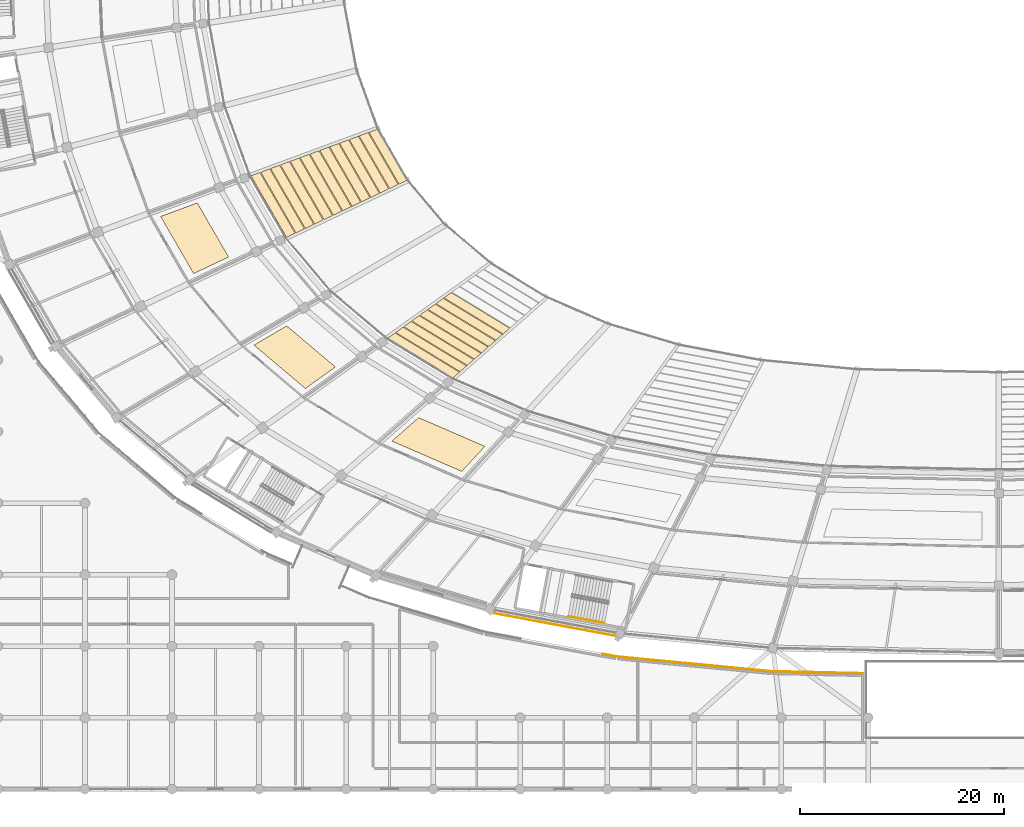
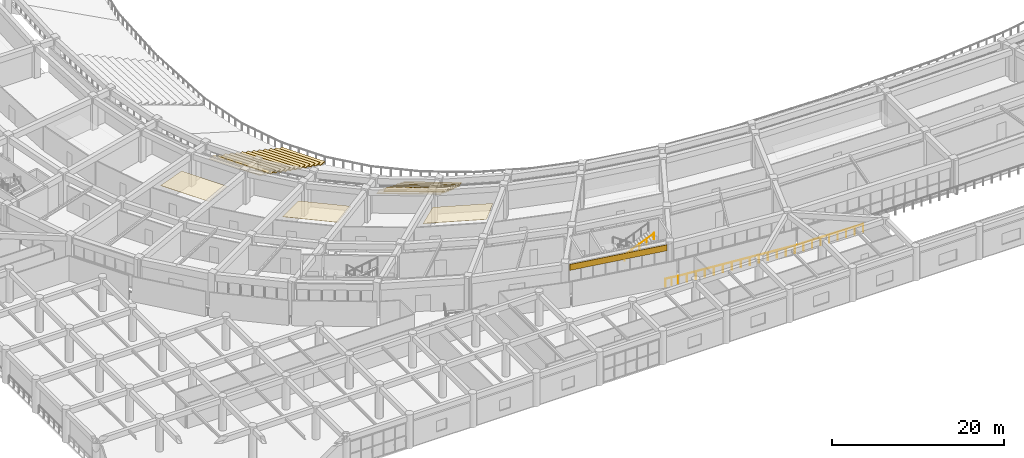
# One storey, part 124 of 152: 25 coverings, 2 railings.
"""IFC4 building model written with IfcOpenShell, lengths in metres."""

import ifcopenshell
import ifcopenshell.guid

model = None  # the IFC model being written
_history = None  # IfcOwnerHistory: only IFC2X3 demands one
_inside = {}  # id of a spatial element -> (the spatial element, [elements in it])
_under = {}  # id of a project, library or spatial element -> (it, [spatial elements below it])
_declared = {}  # id of a project -> (the project, [libraries it declares])
_typed = {}  # id of a type object -> (the type object, [elements of that type])
_made_of = {}  # id of a material, layer set ... -> (it, [elements and type objects made of it])


def new_model(schema):
    """Start an empty IFC model of exactly this schema.

    Asked for "IFC4X3", IfcOpenShell would pick the latest addendum, in which some entities
    have other attributes; the version numbers below select the first issue.
    IFC2X3 requires an IfcOwnerHistory on every rooted entity: one is made here for all.
    """
    global model, _history
    if schema == "IFC4X3":
        model = ifcopenshell.file(schema_version=(4, 3, 0, 0))
    else:
        model = ifcopenshell.file(schema=schema)
    _inside.clear()
    _under.clear()
    _declared.clear()
    _typed.clear()
    _made_of.clear()
    _history = None
    if model.schema == "IFC2X3":
        org = make("IfcOrganization", Name="unknown")
        user = make(
            "IfcPersonAndOrganization",
            ThePerson=make("IfcPerson", FamilyName="unknown"),
            TheOrganization=org,
        )
        app = make(
            "IfcApplication",
            ApplicationDeveloper=org,
            Version="unknown",
            ApplicationFullName="unknown",
            ApplicationIdentifier="unknown",
        )
        _history = make(
            "IfcOwnerHistory",
            OwningUser=user,
            OwningApplication=app,
            ChangeAction="ADDED",
            CreationDate=0,
        )
    return model


def make(cls, **values):
    """One entity of the class cls with the attributes given. An attribute that is None is left unset."""
    return model.create_entity(
        cls, **{name: value for name, value in values.items() if value is not None}
    )


def rooted(cls, **values):
    """An entity with a GlobalId (a new one), such as an element, a storey or a relation."""
    return make(cls, GlobalId=ifcopenshell.guid.new(), OwnerHistory=_history, **values)


def si_unit(unit_type, name, prefix=None):
    """IfcSIUnit, for example si_unit("LENGTHUNIT", "METRE", prefix="MILLI")."""
    return make("IfcSIUnit", UnitType=unit_type, Prefix=prefix, Name=name)


def assignment(units):
    """IfcUnitAssignment: the units of a project."""
    return None if units is None else make("IfcUnitAssignment", Units=units)


def point(xyz):
    """IfcCartesianPoint."""
    return None if xyz is None else make("IfcCartesianPoint", Coordinates=xyz)


def direction(xyz):
    """IfcDirection."""
    return None if xyz is None else make("IfcDirection", DirectionRatios=xyz)


def frame(location, z_axis=None, x_axis=None):
    """IfcAxis2Placement3D, a coordinate frame: its origin and axes. An axis left out is left unset."""
    return make(
        "IfcAxis2Placement3D",
        Location=point(location),
        Axis=direction(z_axis),
        RefDirection=direction(x_axis),
    )


def frame_2d(location, x_axis=None):
    """IfcAxis2Placement2D, a coordinate frame in the plane: its origin and x axis."""
    return make(
        "IfcAxis2Placement2D", Location=point(location), RefDirection=direction(x_axis)
    )


def origin():
    """The frame at (0, 0, 0) with its axes left unset."""
    return frame((0.0, 0.0, 0.0))


def origin_2d():
    """The frame at (0, 0) in the plane with its x axis left unset."""
    return frame_2d((0.0, 0.0))


def place(relative_to, where):
    """IfcLocalPlacement: puts the frame where relative to a parent placement (None: the world)."""
    return make(
        "IfcLocalPlacement", PlacementRelTo=relative_to, RelativePlacement=where
    )


def context(
    kind, dimensions, precision=None, world=None, true_north=None, identifier=None
):
    """IfcGeometricRepresentationContext, for example the 3D "Model" context."""
    return make(
        "IfcGeometricRepresentationContext",
        ContextIdentifier=identifier,
        ContextType=kind,
        CoordinateSpaceDimension=dimensions,
        Precision=precision,
        WorldCoordinateSystem=world,
        TrueNorth=true_north,
    )


def subcontext(parent, identifier, kind, view, scale=None):
    """IfcGeometricRepresentationSubContext, for example "Body" below "Model"."""
    return make(
        "IfcGeometricRepresentationSubContext",
        ContextIdentifier=identifier,
        ContextType=kind,
        ParentContext=parent,
        TargetScale=scale,
        TargetView=view,
    )


def project(units=None, contexts=None):
    """IfcProject with its units and contexts."""
    return rooted(
        "IfcProject",
        Name="project",
        RepresentationContexts=contexts,
        UnitsInContext=assignment(units),
    )


def spatial(cls, under=None, at=None, **own):
    """A site, building, storey or space (cls), placed at a placement, below another one or the project."""
    s = rooted(cls, ObjectPlacement=at, **own)
    if under is not None:
        _under.setdefault(under.id(), (under, []))[1].append(s)
    return s


def polyline(points):
    """IfcPolyline through the points."""
    return make("IfcPolyline", Points=[point(p) for p in points])


def profile(cls, at=None, kind="AREA", **sizes):
    """A parametric profile (cls). Its sizes go by their IFC names, for example OverallWidth=200.0."""
    return make(cls, ProfileType=kind, Position=at, **sizes)


def rectangle(**sizes):
    """IfcRectangleProfileDef."""
    return profile("IfcRectangleProfileDef", **sizes)


def circle(**sizes):
    """IfcCircleProfileDef."""
    return profile("IfcCircleProfileDef", **sizes)


def outline(outer, holes=None, kind="AREA"):
    """IfcArbitraryClosedProfileDef: a profile drawn as a closed curve; with holes, ...WithVoids."""
    if holes is None:
        return make("IfcArbitraryClosedProfileDef", ProfileType=kind, OuterCurve=outer)
    return make(
        "IfcArbitraryProfileDefWithVoids",
        ProfileType=kind,
        OuterCurve=outer,
        InnerCurves=holes,
    )


def extrude(swept, where, along, depth):
    """IfcExtrudedAreaSolid: the profile swept, set in the frame where, extruded along a direction by depth."""
    return make(
        "IfcExtrudedAreaSolid",
        SweptArea=swept,
        Position=where,
        ExtrudedDirection=direction(along),
        Depth=depth,
    )


def shape(context_of_items, identifier, shape_type, items):
    """IfcShapeRepresentation: the items that make up one representation, for example the "Body"."""
    return make(
        "IfcShapeRepresentation",
        ContextOfItems=context_of_items,
        RepresentationIdentifier=identifier,
        RepresentationType=shape_type,
        Items=items,
    )


def material(Name=None, Category=None):
    """IfcMaterial."""
    return make("IfcMaterial", Name=Name, Category=Category)


def layer(
    of_material, thickness, ventilated=None, Name=None, Category=None, Priority=None
):
    """IfcMaterialLayer: one layer of a wall or slab, of a material (None: an air gap)."""
    return make(
        "IfcMaterialLayer",
        Material=of_material,
        LayerThickness=thickness,
        IsVentilated=ventilated,
        Name=Name,
        Category=Category,
        Priority=Priority,
    )


def layer_set(layers, Name=None):
    """IfcMaterialLayerSet."""
    return make("IfcMaterialLayerSet", MaterialLayers=layers, LayerSetName=Name)


def made_of(thing, what):
    """Note that an element or type object is made of a material, layer set ...; save() writes the relation."""
    if what is not None:
        _made_of.setdefault(what.id(), (what, []))[1].append(thing)
    return thing


def type_object(cls, material=None, **own):
    """A type object (cls), such as IfcWallType, which elements share."""
    return made_of(rooted(cls, **own), material)


def element(
    cls,
    number,
    at=None,
    inside=None,
    cuts=None,
    type_object=None,
    material=None,
    context=None,
    identifier="Body",
    shape_type=None,
    held_by="IfcProductDefinitionShape",
    body=None,
    shapes=None,
    **own,
):
    """One element of the class cls, such as IfcWall. Its Tag is "e" and its number.

    at: its placement. inside: the storey or other place that contains it. cuts: it is an
    opening in that element (IfcRelVoidsElement). A single representation is given by context,
    identifier, shape_type and body (its items); several are given by shapes. held_by: the class
    of the entity that holds the representations. save() writes the other relations.
    """
    e = rooted(cls, Tag="e%d" % number, ObjectPlacement=at, **own)
    if body is not None:
        shapes = [shape(context, identifier, shape_type, body)]
    if shapes is not None:
        e.Representation = make(held_by, Representations=shapes)
    if inside is not None:
        _inside.setdefault(inside.id(), (inside, []))[1].append(e)
    if cuts is not None:
        rooted(
            "IfcRelVoidsElement", RelatingBuildingElement=cuts, RelatedOpeningElement=e
        )
    if type_object is not None:
        _typed.setdefault(type_object.id(), (type_object, []))[1].append(e)
    return made_of(e, material)


def aggregate(whole, parts):
    """IfcRelAggregates: a whole, such as a stair, and the parts it consists of."""
    return rooted("IfcRelAggregates", RelatingObject=whole, RelatedObjects=parts)


def save(model, path):
    """Write the relations noted so far, then the file.

    IfcRelAggregates (storeys below a building ...), IfcRelContainedInSpatialStructure (elements
    in a storey), IfcRelDefinesByType, IfcRelAssociatesMaterial and IfcRelDeclares: one each for
    every whole, place, type object, material and project.
    """
    for whole, parts in _under.values():
        aggregate(whole, parts)
    for where, things in _inside.values():
        rooted(
            "IfcRelContainedInSpatialStructure",
            RelatedElements=things,
            RelatingStructure=where,
        )
    for kind, things in _typed.values():
        rooted("IfcRelDefinesByType", RelatedObjects=things, RelatingType=kind)
    for what, things in _made_of.values():
        rooted("IfcRelAssociatesMaterial", RelatedObjects=things, RelatingMaterial=what)
    for by, libraries in _declared.values():
        rooted("IfcRelDeclares", RelatingContext=by, RelatedDefinitions=libraries)
    model.write(path)


model = new_model("IFC4")

# Units and contexts
model_context = context("Model", 3, precision=1e-05, world=origin(), true_north=direction((0.0, 1.0)))
body_context = subcontext(model_context, "Body", "Model", "MODEL_VIEW")
ifc_project = project(units=[si_unit("LENGTHUNIT", "METRE"), si_unit("AREAUNIT", "SQUARE_METRE"), si_unit("VOLUMEUNIT", "CUBIC_METRE"), si_unit("PLANEANGLEUNIT", "RADIAN"), si_unit("MASSUNIT", "GRAM", prefix="KILO")], contexts=[model_context])

# Site, building, storey
site_placement = place(None, origin())
site = spatial("IfcSite", under=ifc_project, at=site_placement, CompositionType="ELEMENT")
building_placement = place(site_placement, origin())
building = spatial("IfcBuilding", under=site, at=building_placement, Name="Mphavela Belvedere Stadium", CompositionType="ELEMENT")
storey_placement = place(building_placement, frame((0.0, 0.0, 5.39990234375)))
storey = spatial("IfcBuildingStorey", under=building, at=storey_placement, Name="L01", CompositionType="ELEMENT", Elevation=5.39990234375)

# Coverings
ifc_material_1 = material(Name="Perforated acoustic mineral ceiling tile")
ifc_layer_1 = layer(ifc_material_1, 0.0400390625)
ifc_layer_set_1 = layer_set([ifc_layer_1], Name="Perforated acoustic mineral ceiling tile")
covering_type_1 = type_object("IfcCoveringType", Name="COV-CEILING-ACOUSTIC", PredefinedType="CEILING", material=ifc_layer_set_1)
covering_1_placement = place(storey_placement, frame((0.0, 0.0, 3.5)))
element("IfcCovering", 1, at=covering_1_placement, inside=storey, type_object=covering_type_1, Name="Concourse acoustic ceiling L01-28", PredefinedType="CEILING", context=body_context, shape_type="SweptSolid", body=[
    extrude(outline(polyline([(36.55224609375, 57.37451171875), (39.614501953125, 52.07861328125), (36.189208984375, 50.457275390625), (32.955810546875, 56.049560546875), (36.55224609375, 57.37451171875)])), origin(), (0.0, 0.0, 1.0), 0.0400390625),
])
covering_2_placement = place(storey_placement, frame((0.0, 0.0, 3.5)))
element("IfcCovering", 2, at=covering_2_placement, inside=storey, type_object=covering_type_1, Name="Concourse acoustic ceiling L01-30", PredefinedType="CEILING", context=body_context, shape_type="SweptSolid", body=[
    extrude(outline(polyline([(45.30078125, 45.339111328125), (50.068359375, 41.316162109375), (47.129150390625, 39.210205078125), (42.094970703125, 43.4580078125), (45.30078125, 45.339111328125)])), origin(), (0.0, 0.0, 1.0), 0.0400390625),
])
covering_3_placement = place(storey_placement, frame((0.0, 0.0, 3.5)))
element("IfcCovering", 3, at=covering_3_placement, inside=storey, type_object=covering_type_1, Name="Concourse acoustic ceiling L01-32", PredefinedType="CEILING", context=body_context, shape_type="SweptSolid", body=[
    extrude(outline(polyline([(58.21875, 36.35888671875), (64.69580078125, 33.55078125), (62.43310546875, 31.0966796875), (55.593505859375, 34.061767578125), (58.21875, 36.35888671875)])), origin(), (0.0, 0.0, 1.0), 0.0400390625),
])
ifc_material_2 = material(Name="Carved classical limestone entablature frieze cladding", Category="masonry")
ifc_layer_2 = layer(ifc_material_2, 0.06005859375)
ifc_layer_set_2 = layer_set([ifc_layer_2], Name="Carved classical limestone entablature frieze cladding")
covering_type_2 = type_object("IfcCoveringType", Name="COV-FRIEZE-CLAD", PredefinedType="CLADDING", material=ifc_layer_set_2)
covering_4_placement = place(storey_placement, frame((71.50439453125, 16.103271484375, 3.594970703125), z_axis=(0.0, 0.0, 1.0), x_axis=(0.983095502692, -0.183093507769, 0.0)))
element("IfcCovering", 4, at=covering_4_placement, inside=storey, type_object=covering_type_2, Name="Classical entablature frieze cladding L01-34", PredefinedType="CLADDING", context=body_context, shape_type="SweptSolid", body=[
    extrude(rectangle(XDim=12.00146484375, YDim=0.06005859375, at=origin_2d()), origin(), (0.0, 0.0, 1.0), 0.85009765625),
])
ifc_material_3 = material(Name="Precast seating row terrazzo finish", Category="concrete")
ifc_layer_3 = layer(ifc_material_3, 0.1201171875)
ifc_layer_set_3 = layer_set([ifc_layer_3], Name="Precast seating row terrazzo finish")
covering_type_3 = type_object("IfcCoveringType", Name="COV-SEAT-ROW-L", PredefinedType="FLOORING", material=ifc_layer_set_3)
covering_5_placement = place(storey_placement, frame((0.0, 0.0, -3.75830078125)))
element("IfcCovering", 5, at=covering_5_placement, inside=storey, type_object=covering_type_3, Name="Lower stand seating row bench B28-R01", PredefinedType="FLOORING", context=body_context, shape_type="SweptSolid", body=[
    extrude(outline(polyline([(54.236572265625, 64.614501953125), (57.130859375, 59.608642578125), (56.287109375, 59.209228515625), (53.3505859375, 64.2880859375), (54.236572265625, 64.614501953125)])), origin(), (0.0, 0.0, 1.0), 0.119873046875),
])
covering_6_placement = place(storey_placement, frame((0.0, 0.0, -3.296875)))
element("IfcCovering", 6, at=covering_6_placement, inside=storey, type_object=covering_type_3, Name="Lower stand seating row bench B28-R02", PredefinedType="FLOORING", context=body_context, shape_type="SweptSolid", body=[
    extrude(outline(polyline([(53.273681640625, 64.259765625), (56.2138671875, 59.174560546875), (55.3701171875, 58.775146484375), (52.3876953125, 63.933349609375), (53.273681640625, 64.259765625)])), origin(), (0.0, 0.0, 1.0), 0.1201171875),
])
covering_7_placement = place(storey_placement, frame((0.0, 0.0, -2.835205078125)))
element("IfcCovering", 7, at=covering_7_placement, inside=storey, type_object=covering_type_3, Name="Lower stand seating row bench B28-R03", PredefinedType="FLOORING", context=body_context, shape_type="SweptSolid", body=[
    extrude(outline(polyline([(52.310546875, 63.90478515625), (55.296875, 58.740478515625), (54.453125, 58.341064453125), (51.4248046875, 63.57861328125), (52.310546875, 63.90478515625)])), origin(), (0.0, 0.0, 1.0), 0.119873046875),
])
covering_8_placement = place(storey_placement, frame((0.0, 0.0, -2.373779296875)))
element("IfcCovering", 8, at=covering_8_placement, inside=storey, type_object=covering_type_3, Name="Lower stand seating row bench B28-R04", PredefinedType="FLOORING", context=body_context, shape_type="SweptSolid", body=[
    extrude(outline(polyline([(51.34765625, 63.55029296875), (54.379638671875, 58.306396484375), (53.535888671875, 57.906982421875), (50.4619140625, 63.223876953125), (51.34765625, 63.55029296875)])), origin(), (0.0, 0.0, 1.0), 0.1201171875),
])
covering_9_placement = place(storey_placement, frame((0.0, 0.0, -1.912109375)))
element("IfcCovering", 9, at=covering_9_placement, inside=storey, type_object=covering_type_3, Name="Lower stand seating row bench B28-R05", PredefinedType="FLOORING", context=body_context, shape_type="SweptSolid", body=[
    extrude(outline(polyline([(50.384765625, 63.1953125), (53.462646484375, 57.872314453125), (52.618896484375, 57.472900390625), (49.498779296875, 62.868896484375), (50.384765625, 63.1953125)])), origin(), (0.0, 0.0, 1.0), 0.119873046875),
])
covering_10_placement = place(storey_placement, frame((0.0, 0.0, -1.45068359375)))
element("IfcCovering", 10, at=covering_10_placement, inside=storey, type_object=covering_type_3, Name="Lower stand seating row bench B28-R06", PredefinedType="FLOORING", context=body_context, shape_type="SweptSolid", body=[
    extrude(outline(polyline([(49.421875, 62.8408203125), (52.545654296875, 57.438232421875), (51.701904296875, 57.038818359375), (48.535888671875, 62.514404296875), (49.421875, 62.8408203125)])), origin(), (0.0, 0.0, 1.0), 0.119873046875),
])
covering_11_placement = place(storey_placement, frame((0.0, 0.0, -0.989013671875)))
element("IfcCovering", 11, at=covering_11_placement, inside=storey, type_object=covering_type_3, Name="Lower stand seating row bench B28-R07", PredefinedType="FLOORING", context=body_context, shape_type="SweptSolid", body=[
    extrude(outline(polyline([(48.458984375, 62.48583984375), (51.62841796875, 57.004150390625), (50.784912109375, 56.604736328125), (47.572998046875, 62.159423828125), (48.458984375, 62.48583984375)])), origin(), (0.0, 0.0, 1.0), 0.119873046875),
])
covering_12_placement = place(storey_placement, frame((0.0, 0.0, -0.527587890625)))
element("IfcCovering", 12, at=covering_12_placement, inside=storey, type_object=covering_type_3, Name="Lower stand seating row bench B28-R08", PredefinedType="FLOORING", context=body_context, shape_type="SweptSolid", body=[
    extrude(outline(polyline([(47.495849609375, 62.131103515625), (50.71142578125, 56.570068359375), (49.86767578125, 56.170654296875), (46.610107421875, 61.8046875), (47.495849609375, 62.131103515625)])), origin(), (0.0, 0.0, 1.0), 0.119873046875),
])
covering_13_placement = place(storey_placement, frame((0.0, 0.0, -0.066162109375)))
element("IfcCovering", 13, at=covering_13_placement, inside=storey, type_object=covering_type_3, Name="Lower stand seating row bench B28-R09", PredefinedType="FLOORING", context=body_context, shape_type="SweptSolid", body=[
    extrude(outline(polyline([(46.532958984375, 61.7763671875), (49.794189453125, 56.135986328125), (48.95068359375, 55.736572265625), (45.647216796875, 61.449951171875), (46.532958984375, 61.7763671875)])), origin(), (0.0, 0.0, 1.0), 0.1201171875),
])
covering_14_placement = place(storey_placement, frame((0.0, 0.0, 0.3955078125)))
element("IfcCovering", 14, at=covering_14_placement, inside=storey, type_object=covering_type_3, Name="Lower stand seating row bench B28-R10", PredefinedType="FLOORING", context=body_context, shape_type="SweptSolid", body=[
    extrude(outline(polyline([(45.570068359375, 61.421630859375), (48.877197265625, 55.701904296875), (48.03369140625, 55.302490234375), (44.68408203125, 61.09521484375), (45.570068359375, 61.421630859375)])), origin(), (0.0, 0.0, 1.0), 0.119873046875),
])
covering_15_placement = place(storey_placement, frame((0.0, 0.0, 0.85693359375)))
element("IfcCovering", 15, at=covering_15_placement, inside=storey, type_object=covering_type_3, Name="Lower stand seating row bench B28-R11", PredefinedType="FLOORING", context=body_context, shape_type="SweptSolid", body=[
    extrude(outline(polyline([(44.607177734375, 61.06689453125), (47.960205078125, 55.267822265625), (47.116455078125, 54.868408203125), (43.72119140625, 60.740478515625), (44.607177734375, 61.06689453125)])), origin(), (0.0, 0.0, 1.0), 0.1201171875),
])
covering_16_placement = place(storey_placement, frame((0.0, 0.0, 1.318603515625)))
element("IfcCovering", 16, at=covering_16_placement, inside=storey, type_object=covering_type_3, Name="Lower stand seating row bench B28-R12", PredefinedType="FLOORING", context=body_context, shape_type="SweptSolid", body=[
    extrude(outline(polyline([(43.644287109375, 60.712158203125), (47.043212890625, 54.833740234375), (46.199462890625, 54.434326171875), (42.75830078125, 60.3857421875), (43.644287109375, 60.712158203125)])), origin(), (0.0, 0.0, 1.0), 0.119873046875),
])
covering_17_placement = place(storey_placement, frame((0.0, 0.0, 1.780029296875)))
element("IfcCovering", 17, at=covering_17_placement, inside=storey, type_object=covering_type_3, Name="Lower stand seating row bench B28-R13", PredefinedType="FLOORING", context=body_context, shape_type="SweptSolid", body=[
    extrude(outline(polyline([(42.681396484375, 60.357421875), (46.126220703125, 54.399658203125), (45.282470703125, 54.000244140625), (41.79541015625, 60.031005859375), (42.681396484375, 60.357421875)])), origin(), (0.0, 0.0, 1.0), 0.1201171875),
])
covering_18_placement = place(storey_placement, frame((0.0, 0.0, -1.45068359375)))
element("IfcCovering", 18, at=covering_18_placement, inside=storey, type_object=covering_type_3, Name="Lower stand seating row bench B31-R06", PredefinedType="FLOORING", context=body_context, shape_type="SweptSolid", body=[
    extrude(outline(polyline([(61.40625, 48.600341796875), (67.1337890625, 45.115966796875), (66.4873046875, 44.550048828125), (60.682373046875, 48.08154296875), (61.40625, 48.600341796875)])), origin(), (0.0, 0.0, 1.0), 0.119873046875),
])
covering_19_placement = place(storey_placement, frame((0.0, 0.0, -0.989013671875)))
element("IfcCovering", 19, at=covering_19_placement, inside=storey, type_object=covering_type_3, Name="Lower stand seating row bench B31-R07", PredefinedType="FLOORING", context=body_context, shape_type="SweptSolid", body=[
    extrude(outline(polyline([(60.619384765625, 48.03662109375), (66.430908203125, 44.5009765625), (65.784423828125, 43.93505859375), (59.895263671875, 47.517822265625), (60.619384765625, 48.03662109375)])), origin(), (0.0, 0.0, 1.0), 0.119873046875),
])
covering_20_placement = place(storey_placement, frame((0.0, 0.0, -0.527587890625)))
element("IfcCovering", 20, at=covering_20_placement, inside=storey, type_object=covering_type_3, Name="Lower stand seating row bench B31-R08", PredefinedType="FLOORING", context=body_context, shape_type="SweptSolid", body=[
    extrude(outline(polyline([(59.83251953125, 47.47265625), (65.72802734375, 43.885986328125), (65.08154296875, 43.320068359375), (59.1083984375, 46.953857421875), (59.83251953125, 47.47265625)])), origin(), (0.0, 0.0, 1.0), 0.119873046875),
])
covering_21_placement = place(storey_placement, frame((0.0, 0.0, -0.066162109375)))
element("IfcCovering", 21, at=covering_21_placement, inside=storey, type_object=covering_type_3, Name="Lower stand seating row bench B31-R09", PredefinedType="FLOORING", context=body_context, shape_type="SweptSolid", body=[
    extrude(outline(polyline([(59.04541015625, 46.90869140625), (65.025390625, 43.27099609375), (64.378662109375, 42.705078125), (58.3212890625, 46.39013671875), (59.04541015625, 46.90869140625)])), origin(), (0.0, 0.0, 1.0), 0.1201171875),
])
covering_22_placement = place(storey_placement, frame((0.0, 0.0, 0.3955078125)))
element("IfcCovering", 22, at=covering_22_placement, inside=storey, type_object=covering_type_3, Name="Lower stand seating row bench B31-R10", PredefinedType="FLOORING", context=body_context, shape_type="SweptSolid", body=[
    extrude(outline(polyline([(58.258544921875, 46.344970703125), (64.322509765625, 42.656005859375), (63.67578125, 42.090087890625), (57.534423828125, 45.826171875), (58.258544921875, 46.344970703125)])), origin(), (0.0, 0.0, 1.0), 0.119873046875),
])
covering_23_placement = place(storey_placement, frame((0.0, 0.0, 0.85693359375)))
element("IfcCovering", 23, at=covering_23_placement, inside=storey, type_object=covering_type_3, Name="Lower stand seating row bench B31-R11", PredefinedType="FLOORING", context=body_context, shape_type="SweptSolid", body=[
    extrude(outline(polyline([(57.471435546875, 45.781005859375), (63.619384765625, 42.040771484375), (62.972900390625, 41.47509765625), (56.74755859375, 45.262451171875), (57.471435546875, 45.781005859375)])), origin(), (0.0, 0.0, 1.0), 0.1201171875),
])
covering_24_placement = place(storey_placement, frame((0.0, 0.0, 1.318603515625)))
element("IfcCovering", 24, at=covering_24_placement, inside=storey, type_object=covering_type_3, Name="Lower stand seating row bench B31-R12", PredefinedType="FLOORING", context=body_context, shape_type="SweptSolid", body=[
    extrude(outline(polyline([(56.6845703125, 45.21728515625), (62.916748046875, 41.42578125), (62.27001953125, 40.860107421875), (55.96044921875, 44.698486328125), (56.6845703125, 45.21728515625)])), origin(), (0.0, 0.0, 1.0), 0.119873046875),
])
covering_25_placement = place(storey_placement, frame((0.0, 0.0, 1.780029296875)))
element("IfcCovering", 25, at=covering_25_placement, inside=storey, type_object=covering_type_3, Name="Lower stand seating row bench B31-R13", PredefinedType="FLOORING", context=body_context, shape_type="SweptSolid", body=[
    extrude(outline(polyline([(55.897705078125, 44.6533203125), (62.2138671875, 40.810791015625), (61.567138671875, 40.2451171875), (55.173583984375, 44.134765625), (55.897705078125, 44.6533203125)])), origin(), (0.0, 0.0, 1.0), 0.1201171875),
])

# Railings
ifc_material_4 = material(Name="Bronze and laminated glass stadium balustrade", Category="glass")
railing_type_1 = type_object("IfcRailingType", Name="RAL-BALUSTRADE-1120", PredefinedType="BALUSTRADE", material=ifc_material_4)
railing_1_placement = place(storey_placement, frame((76.212890625, 13.232666015625, 0.0)))
element("IfcRailing", 26, at=railing_1_placement, inside=storey, type_object=railing_type_1, Name="Peristyle wing gallery edge balustrade L01-04", PredefinedType="BALUSTRADE", context=body_context, shape_type="SweptSolid", body=[
    extrude(circle(Radius=0.02392578125, at=origin_2d()), frame((0.0, 0.0, 1.09619140625), z_axis=(0.984163739647, -0.177261765658, 0.0), x_axis=(0.177261765658, 0.984163739647, 0.0)), (0.0, 0.0, 1.0), 1.52197265625),
    extrude(circle(Radius=0.02392578125, at=origin_2d()), frame((1.497802734375, -0.269775390625, 1.09619140625), z_axis=(0.995483637339, -0.094933280733, 0.0), x_axis=(0.094933280733, 0.995483637339, 0.0)), (0.0, 0.0, 1.0), 15.029052734375),
    extrude(circle(Radius=0.02392578125, at=origin_2d()), frame((16.458984375, -1.696533203125, 1.09619140625), z_axis=(0.999754122282, -0.022174196285, 0.0), x_axis=(0.022174196285, 0.999754122282, 0.0)), (0.0, 0.0, 1.0), 9.05029296875),
    extrude(circle(Radius=0.02099609375, at=origin_2d()), origin(), (0.0, 0.0, 1.0), 1.072021484375),
    extrude(circle(Radius=0.02099609375, at=origin_2d()), frame((0.7490234375, -0.134765625, 0.0)), (0.0, 0.0, 1.0), 1.072021484375),
    extrude(circle(Radius=0.02099609375, at=origin_2d()), frame((1.497802734375, -0.269775390625, 0.0)), (0.0, 0.0, 1.0), 1.072021484375),
    extrude(circle(Radius=0.02099609375, at=origin_2d()), frame((2.648681640625, -0.379638671875, 0.0)), (0.0, 0.0, 1.0), 1.072021484375),
    extrude(circle(Radius=0.02099609375, at=origin_2d()), frame((3.799560546875, -0.4892578125, 0.0)), (0.0, 0.0, 1.0), 1.072021484375),
    extrude(circle(Radius=0.02099609375, at=origin_2d()), frame((4.950439453125, -0.59912109375, 0.0)), (0.0, 0.0, 1.0), 1.072021484375),
    extrude(circle(Radius=0.02099609375, at=origin_2d()), frame((6.101318359375, -0.708740234375, 0.0)), (0.0, 0.0, 1.0), 1.072021484375),
    extrude(circle(Radius=0.02099609375, at=origin_2d()), frame((7.252197265625, -0.818603515625, 0.0)), (0.0, 0.0, 1.0), 1.072021484375),
    extrude(circle(Radius=0.02099609375, at=origin_2d()), frame((8.403076171875, -0.92822265625, 0.0)), (0.0, 0.0, 1.0), 1.072021484375),
    extrude(circle(Radius=0.02099609375, at=origin_2d()), frame((9.5537109375, -1.0380859375, 0.0)), (0.0, 0.0, 1.0), 1.072021484375),
    extrude(circle(Radius=0.02099609375, at=origin_2d()), frame((10.70458984375, -1.147705078125, 0.0)), (0.0, 0.0, 1.0), 1.072021484375),
    extrude(circle(Radius=0.02099609375, at=origin_2d()), frame((11.85546875, -1.257568359375, 0.0)), (0.0, 0.0, 1.0), 1.072021484375),
    extrude(circle(Radius=0.02099609375, at=origin_2d()), frame((13.00634765625, -1.3671875, 0.0)), (0.0, 0.0, 1.0), 1.072021484375),
    extrude(circle(Radius=0.02099609375, at=origin_2d()), frame((14.1572265625, -1.47705078125, 0.0)), (0.0, 0.0, 1.0), 1.072021484375),
    extrude(circle(Radius=0.02099609375, at=origin_2d()), frame((15.30810546875, -1.586669921875, 0.0)), (0.0, 0.0, 1.0), 1.072021484375),
    extrude(circle(Radius=0.02099609375, at=origin_2d()), frame((16.458984375, -1.696533203125, 0.0)), (0.0, 0.0, 1.0), 1.072021484375),
    extrude(circle(Radius=0.02099609375, at=origin_2d()), frame((17.590087890625, -1.7216796875, 0.0)), (0.0, 0.0, 1.0), 1.072021484375),
    extrude(circle(Radius=0.02099609375, at=origin_2d()), frame((18.720947265625, -1.74658203125, 0.0)), (0.0, 0.0, 1.0), 1.072021484375),
    extrude(circle(Radius=0.02099609375, at=origin_2d()), frame((19.85205078125, -1.771728515625, 0.0)), (0.0, 0.0, 1.0), 1.072021484375),
    extrude(circle(Radius=0.02099609375, at=origin_2d()), frame((20.98291015625, -1.796875, 0.0)), (0.0, 0.0, 1.0), 1.072021484375),
    extrude(circle(Radius=0.02099609375, at=origin_2d()), frame((22.114013671875, -1.822021484375, 0.0)), (0.0, 0.0, 1.0), 1.072021484375),
    extrude(circle(Radius=0.02099609375, at=origin_2d()), frame((23.2451171875, -1.84716796875, 0.0)), (0.0, 0.0, 1.0), 1.072021484375),
    extrude(circle(Radius=0.02099609375, at=origin_2d()), frame((24.3759765625, -1.8720703125, 0.0)), (0.0, 0.0, 1.0), 1.072021484375),
    extrude(circle(Radius=0.02099609375, at=origin_2d()), frame((25.507080078125, -1.897216796875, 0.0)), (0.0, 0.0, 1.0), 1.072021484375),
])
ifc_material_5 = material(Name="Brushed stainless steel tubular handrail", Category="steel")
railing_type_2 = type_object("IfcRailingType", Name="RAL-HANDRAIL-900", PredefinedType="HANDRAIL", material=ifc_material_5)
railing_2_placement = place(storey_placement, frame((72.849853515625, 16.918212890625, 2.584716796875)))
element("IfcRailing", 27, at=railing_2_placement, inside=storey, type_object=railing_type_2, Name="L01 ST-C11 stair handrail 2", PredefinedType="HANDRAIL", context=body_context, shape_type="SweptSolid", body=[
    extrude(circle(Radius=0.02392578125, at=origin_2d()), frame((0.0, 0.0, 0.8759765625), z_axis=(0.838788087983, -0.156227370872, 0.521562606068), x_axis=(0.183104767783, 0.983093405539, 0.0)), (0.0, 0.0, 1.0), 4.24755859375),
    extrude(circle(Radius=0.02099609375, at=origin_2d()), origin(), (0.0, 0.0, 1.0), 0.851806640625),
    extrude(circle(Radius=0.02099609375, at=origin_2d()), frame((0.890625, -0.166015625, 0.5537109375)), (0.0, 0.0, 1.0), 0.851806640625),
    extrude(circle(Radius=0.02099609375, at=origin_2d()), frame((1.78125, -0.331787109375, 1.107666015625)), (0.0, 0.0, 1.0), 0.851806640625),
    extrude(circle(Radius=0.02099609375, at=origin_2d()), frame((2.672119140625, -0.49755859375, 1.66162109375)), (0.0, 0.0, 1.0), 0.851806640625),
    extrude(circle(Radius=0.02099609375, at=origin_2d()), frame((3.562744140625, -0.66357421875, 2.21533203125)), (0.0, 0.0, 1.0), 0.851806640625),
])

save(model, "model.ifc")
